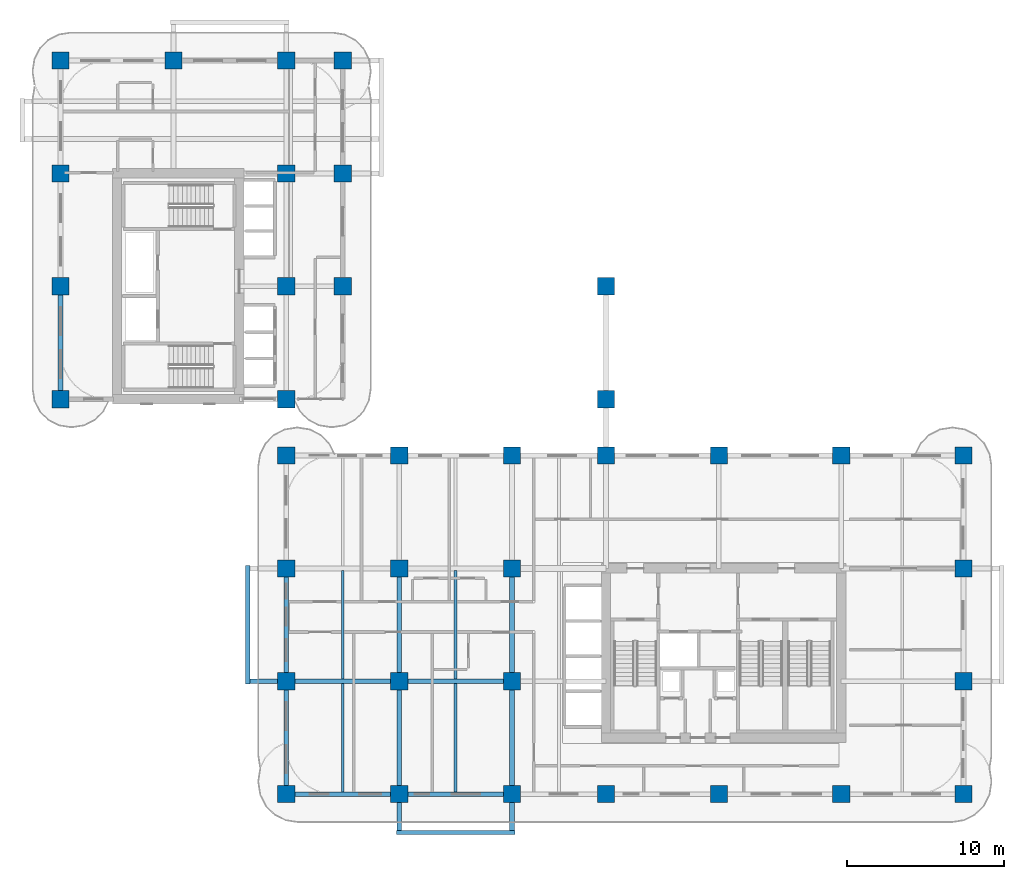
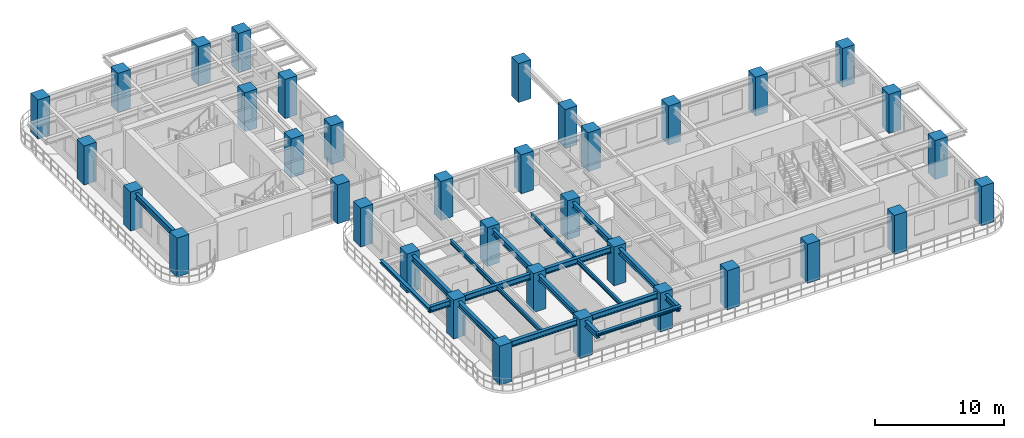
# One storey, part 1 of 18: 36 columns, 17 beams.
"""IFC4 building model written with IfcOpenShell, lengths in metres."""

from ifc_helpers import new_model, si_unit, derived_unit, direction, frame, origin, origin_2d, place, context, subcontext, project, spatial, rectangle, i_section, extrude, source, transform, mapped, material, material_profile, profile_set, type_object, type_shapes, element, save


model = new_model("IFC4")

# Units and contexts
model_context = context("Model", 3, precision=1e-05, world=origin(), true_north=direction((0.0, 1.0)))
body_context = subcontext(model_context, "Body", "Model", "MODEL_VIEW")
ifc_project = project(units=[si_unit("LENGTHUNIT", "METRE"), si_unit("AREAUNIT", "SQUARE_METRE"), si_unit("VOLUMEUNIT", "CUBIC_METRE"), si_unit("PLANEANGLEUNIT", "RADIAN"), si_unit("MASSUNIT", "GRAM", prefix="KILO"), si_unit("THERMODYNAMICTEMPERATUREUNIT", "KELVIN"), si_unit("POWERUNIT", "WATT"), derived_unit("THERMALTRANSMITTANCEUNIT", [(si_unit("POWERUNIT", "WATT"), 1), (si_unit("AREAUNIT", "SQUARE_METRE"), -1), (si_unit("THERMODYNAMICTEMPERATUREUNIT", "KELVIN"), -1)])], contexts=[model_context])

# Site, building, storey
site_placement = place(None, origin())
site = spatial("IfcSite", under=ifc_project, at=site_placement, CompositionType="ELEMENT")
building_placement = place(site_placement, origin())
building = spatial("IfcBuilding", under=site, at=building_placement, Name="Zahravan Archway Hotel and Residences", CompositionType="ELEMENT")
storey_placement = place(building_placement, frame((0.0, 0.0, 50.89990234375)))
storey = spatial("IfcBuildingStorey", under=building, at=storey_placement, Name="L11", CompositionType="ELEMENT", Elevation=50.89990234375)

# Columns
ifc_material_1 = material(Name="Concrete C70/85", Category="concrete")
ifc_material_profile_1 = material_profile(ifc_material_1, rectangle(XDim=1.10009765625, YDim=1.10009765625, at=origin_2d()), Name="RC 1100x1100", Category="concrete")
ifc_profile_set_1 = profile_set([ifc_material_profile_1], Name="Concrete C70/85")
column_type = type_object("IfcColumnType", Name="COL-RC-1100", PredefinedType="COLUMN", material=ifc_profile_set_1)
shared_shape_1 = source(origin(), body_context, "Body", "SweptSolid", [
    extrude(rectangle(XDim=1.10009765625, YDim=1.10009765625, at=origin_2d()), origin(), (0.0, 0.0, 1.0), 3.7001953125),
])
for number, where, z_axis, x_axis, name in (
    (1, (0.0, 25.199951171875, 0.0), (0.0, 0.0, 1.0), (1.0, 0.0, 0.0), "L11 Column 1-E"),
    (2, (0.0, 32.39990234375, 0.0), (0.0, 0.0, 1.0), (1.0, 0.0, 0.0), "L11 Column 1-F"),
    (3, (0.0, 39.60009765625, 0.0), (0.0, 0.0, 1.0), (1.0, 0.0, 0.0), "L11 Column 1-G"),
    (4, (0.0, 46.800048828125, 0.0), (0.0, 0.0, 1.0), (1.0, 0.0, 0.0), "L11 Column 1-H"),
    (5, (7.199951171875, 46.800048828125, 0.0), (0.0, 0.0, 1.0), (1.0, 0.0, 0.0), "L11 Column 2-H"),
    (6, (14.39990234375, 0.0, 0.0), (0.0, 0.0, 1.0), (1.0, 0.0, 0.0), "L11 Column 3-A"),
    (7, (14.39990234375, 7.199951171875, 0.0), (0.0, 0.0, 1.0), (1.0, 0.0, 0.0), "L11 Column 3-B"),
    (8, (14.39990234375, 14.39990234375, 0.0), (0.0, 0.0, 1.0), (1.0, 0.0, 0.0), "L11 Column 3-C"),
    (9, (14.39990234375, 21.60009765625, 0.0), (0.0, 0.0, 1.0), (1.0, 0.0, 0.0), "L11 Column 3-D"),
    (10, (14.39990234375, 25.199951171875, 0.0), (0.0, 0.0, 1.0), (1.0, 0.0, 0.0), "L11 Column 3-E"),
    (11, (14.39990234375, 32.39990234375, 0.0), (0.0, 0.0, 1.0), (1.0, 0.0, 0.0), "L11 Column 3-F"),
    (12, (14.39990234375, 39.60009765625, 0.0), (0.0, 0.0, 1.0), (1.0, 0.0, 0.0), "L11 Column 3-G"),
    (13, (14.39990234375, 46.800048828125, 0.0), (0.0, 0.0, 1.0), (1.0, 0.0, 0.0), "L11 Column 3-H"),
    (14, (21.60009765625, 0.0, 0.0), (0.0, 0.0, 1.0), (1.0, 0.0, 0.0), "L11 Column 4-A"),
    (15, (21.60009765625, 7.199951171875, 0.0), (0.0, 0.0, 1.0), (1.0, 0.0, 0.0), "L11 Column 4-B"),
    (16, (21.60009765625, 14.39990234375, 0.0), (0.0, 0.0, 1.0), (1.0, 0.0, 0.0), "L11 Column 4-C"),
    (17, (21.60009765625, 21.60009765625, 0.0), (0.0, 0.0, 1.0), (1.0, 0.0, 0.0), "L11 Column 4-D"),
    (18, (28.800048828125, 0.0, 0.0), (0.0, 0.0, 1.0), (1.0, 0.0, 0.0), "L11 Column 5-A"),
    (19, (28.800048828125, 7.199951171875, 0.0), (0.0, 0.0, 1.0), (1.0, 0.0, 0.0), "L11 Column 5-B"),
    (20, (28.800048828125, 14.39990234375, 0.0), (0.0, 0.0, 1.0), (1.0, 0.0, 0.0), "L11 Column 5-C"),
    (21, (28.800048828125, 21.60009765625, 0.0), (0.0, 0.0, 1.0), (1.0, 0.0, 0.0), "L11 Column 5-D"),
    (22, (34.800048828125, 0.0, 0.0), (0.0, 0.0, 1.0), (1.0, 0.0, 0.0), "L11 Column 6-A"),
    (23, (34.800048828125, 21.60009765625, 0.0), (0.0, 0.0, 1.0), (1.0, 0.0, 0.0), "L11 Column 6-D"),
    (24, (42.0, 0.0, 0.0), (0.0, 0.0, 1.0), (1.0, 0.0, 0.0), "L11 Column 7-A"),
    (25, (42.0, 21.60009765625, 0.0), (0.0, 0.0, 1.0), (1.0, 0.0, 0.0), "L11 Column 7-D"),
    (26, (49.800048828125, 0.0, 0.0), (0.0, 0.0, 1.0), (1.0, 0.0, 0.0), "L11 Column 8-A"),
    (27, (49.800048828125, 21.60009765625, 0.0), (0.0, 0.0, 1.0), (1.0, 0.0, 0.0), "L11 Column 8-D"),
    (28, (57.60009765625, 0.0, 0.0), (0.0, 0.0, 1.0), (1.0, 0.0, 0.0), "L11 Column 9-A"),
    (29, (57.60009765625, 7.199951171875, 0.0), (0.0, 0.0, 1.0), (1.0, 0.0, 0.0), "L11 Column 9-B"),
    (30, (57.60009765625, 14.39990234375, 0.0), (0.0, 0.0, 1.0), (1.0, 0.0, 0.0), "L11 Column 9-C"),
    (31, (57.60009765625, 21.60009765625, 0.0), (0.0, 0.0, 1.0), (1.0, 0.0, 0.0), "L11 Column 9-D"),
    (32, (18.0, 32.39990234375, 0.0), (0.0, 0.0, 1.0), (1.0, 0.0, 0.0), "L11 Column 3B-F"),
    (33, (18.0, 39.60009765625, 0.0), (0.0, 0.0, 1.0), (1.0, 0.0, 0.0), "L11 Column 3B-G"),
    (34, (18.0, 46.800048828125, 0.0), (0.0, 0.0, 1.0), (1.0, 0.0, 0.0), "L11 Column 3B-H"),
    (35, (34.800048828125, 25.199951171875, 0.0), (0.0, 0.0, 1.0), (1.0, 0.0, 0.0), "L11 Column 6-E"),
    (36, (34.800048828125, 32.39990234375, 0.0), (0.0, 0.0, 1.0), (1.0, 0.0, 0.0), "L11 Column 6-F"),
):
    element("IfcColumn", number, at=place(storey_placement, frame(where, z_axis=z_axis, x_axis=x_axis)), inside=storey, type_object=column_type, Name=name, PredefinedType="COLUMN", context=body_context, shape_type="MappedRepresentation", body=[
        mapped(shared_shape_1, transform((0.0, 0.0, 0.0), scale=1.0)),
    ])

# Beams
ifc_material_2 = material(Name="Structural Steel S355JR", Category="steel")
ifc_material_profile_2 = material_profile(ifc_material_2, i_section(OverallWidth=0.280029296875, OverallDepth=0.280029296875, WebThickness=0.010498046875, FlangeThickness=0.01806640625, FilletRadius=0.02392578125, at=origin_2d()), Name="HEB 280", Category="steel")
ifc_profile_set_2 = profile_set([ifc_material_profile_2], Name="Structural Steel S355JR")
beam_type_1 = type_object("IfcBeamType", Name="BM-SPN-HEB280", PredefinedType="SPANDREL", material=ifc_profile_set_2)
shared_shape_2 = source(origin(), body_context, "Body", "SweptSolid", [
    extrude(i_section(OverallWidth=0.280029296875, OverallDepth=0.280029296875, WebThickness=0.010498046875, FlangeThickness=0.01806640625, FilletRadius=0.02392578125, at=origin_2d()), origin(), (0.0, 0.0, 1.0), 7.56005859375),
])
type_shapes(beam_type_1, [shared_shape_2])
for number, where, z_axis, x_axis, name in (
    (37, (11.949951171875, 7.02001953125, 3.31005859375), (0.0, 1.0, 0.0), (-1.0, 0.0, 0.0), "L12 WA Balcony Edge Spandrel"),
    (38, (21.419921875, -2.449951171875, 3.31005859375), (1.0, 0.0, 0.0), (0.0, 1.0, 0.0), "L12 SA Balcony Edge Spandrel"),
):
    element("IfcBeam", number, at=place(storey_placement, frame(where, z_axis=z_axis, x_axis=x_axis)), inside=storey, type_object=beam_type_1, Name=name, PredefinedType="SPANDREL", context=body_context, shape_type="MappedRepresentation", body=[
        mapped(shared_shape_2, transform((0.0, 0.0, 0.0), scale=1.0)),
    ])
ifc_material_profile_3 = material_profile(ifc_material_2, i_section(OverallWidth=0.300048828125, OverallDepth=0.550048828125, WebThickness=0.014892578125, FlangeThickness=0.029052734375, FilletRadius=0.027099609375, at=origin_2d()), Name="HEB 550", Category="steel")
ifc_profile_set_3 = profile_set([ifc_material_profile_3], Name="Structural Steel S355JR")
beam_type_2 = type_object("IfcBeamType", Name="BM-PRI-HEB550", PredefinedType="BEAM", material=ifc_profile_set_3)
shared_shape_3 = source(origin(), body_context, "Body", "SweptSolid", [
    extrude(i_section(OverallWidth=0.300048828125, OverallDepth=0.550048828125, WebThickness=0.014892578125, FlangeThickness=0.029052734375, FilletRadius=0.027099609375, at=origin_2d()), origin(), (0.0, 0.0, 1.0), 7.2001953125),
])
type_shapes(beam_type_2, [shared_shape_3])
beam_1_placement = place(storey_placement, frame((14.39990234375, 0.0, 3.175048828125), z_axis=(1.0, 0.0, 0.0), x_axis=(0.0, 1.0, 0.0)))
element("IfcBeam", 39, at=beam_1_placement, inside=storey, type_object=beam_type_2, Name="L11 Primary Girder EW-01", PredefinedType="BEAM", context=body_context, shape_type="MappedRepresentation", body=[
    mapped(shared_shape_3, transform((0.0, 0.0, 0.0), scale=1.0)),
])
shared_shape_4 = source(origin(), body_context, "Body", "SweptSolid", [
    extrude(i_section(OverallWidth=0.300048828125, OverallDepth=0.550048828125, WebThickness=0.014892578125, FlangeThickness=0.029052734375, FilletRadius=0.027099609375, at=origin_2d()), origin(), (0.0, 0.0, 1.0), 7.199951171875),
])
for number, where, z_axis, x_axis, name in (
    (40, (21.60009765625, 0.0, 3.175048828125), (1.0, 0.0, 0.0), (0.0, 1.0, 0.0), "L11 Primary Girder EW-02"),
    (41, (21.60009765625, 7.199951171875, 3.175048828125), (1.0, 0.0, 0.0), (0.0, 1.0, 0.0), "L11 Primary Girder EW-08"),
    (42, (0.0, 25.199951171875, 3.175048828125), (0.0, 1.0, 0.0), (-1.0, 0.0, 0.0), "L11 Primary Girder NS-27"),
    (43, (14.39990234375, 0.0, 3.175048828125), (0.0, 1.0, 0.0), (-1.0, 0.0, 0.0), "L11 Primary Girder NS-31"),
    (44, (14.39990234375, 7.199951171875, 3.175048828125), (0.0, 1.0, 0.0), (-1.0, 0.0, 0.0), "L11 Primary Girder NS-32"),
    (45, (21.60009765625, 7.199951171875, 3.175048828125), (0.0, 1.0, 0.0), (-1.0, 0.0, 0.0), "L11 Primary Girder NS-38"),
    (46, (28.800048828125, 7.199951171875, 3.175048828125), (0.0, 1.0, 0.0), (-1.0, 0.0, 0.0), "L11 Primary Girder NS-41"),
):
    element("IfcBeam", number, at=place(storey_placement, frame(where, z_axis=z_axis, x_axis=x_axis)), inside=storey, type_object=beam_type_2, Name=name, PredefinedType="BEAM", context=body_context, shape_type="MappedRepresentation", body=[
        mapped(shared_shape_4, transform((0.0, 0.0, 0.0), scale=1.0)),
    ])
ifc_material_profile_4 = material_profile(ifc_material_2, i_section(OverallWidth=0.179931640625, OverallDepth=0.39990234375, WebThickness=0.008544921875, FlangeThickness=0.013427734375, FilletRadius=0.02099609375, at=origin_2d()), Name="IPE 400", Category="steel")
ifc_profile_set_4 = profile_set([ifc_material_profile_4], Name="Structural Steel S355JR")
beam_type_3 = type_object("IfcBeamType", Name="BM-JST-IPE400", PredefinedType="JOIST", material=ifc_profile_set_4)
shared_shape_5 = source(origin(), body_context, "Body", "SweptSolid", [
    extrude(i_section(OverallWidth=0.179931640625, OverallDepth=0.39990234375, WebThickness=0.008544921875, FlangeThickness=0.013427734375, FilletRadius=0.02099609375, at=origin_2d()), origin(), (0.0, 0.0, 1.0), 6.904052734375),
])
type_shapes(beam_type_3, [shared_shape_5])
for number, where, z_axis, x_axis, name in (
    (47, (18.0, 0.14794921875, 3.25), (0.0, 1.0, 0.0), (-1.0, 0.0, 0.0), "L11 Composite Floor Joist 01"),
    (48, (25.199951171875, 0.14794921875, 3.25), (0.0, 1.0, 0.0), (-1.0, 0.0, 0.0), "L11 Composite Floor Joist 02"),
    (49, (18.0, 7.347900390625, 3.25), (0.0, 1.0, 0.0), (-1.0, 0.0, 0.0), "L11 Composite Floor Joist 05"),
    (50, (25.199951171875, 7.347900390625, 3.25), (0.0, 1.0, 0.0), (-1.0, 0.0, 0.0), "L11 Composite Floor Joist 06"),
):
    element("IfcBeam", number, at=place(storey_placement, frame(where, z_axis=z_axis, x_axis=x_axis)), inside=storey, type_object=beam_type_3, Name=name, PredefinedType="JOIST", context=body_context, shape_type="MappedRepresentation", body=[
        mapped(shared_shape_5, transform((0.0, 0.0, 0.0), scale=1.0)),
    ])
shared_shape_6 = source(origin(), body_context, "Body", "SweptSolid", [
    extrude(i_section(OverallWidth=0.300048828125, OverallDepth=0.550048828125, WebThickness=0.014892578125, FlangeThickness=0.029052734375, FilletRadius=0.027099609375, at=origin_2d()), origin(), (0.0, 0.0, 1.0), 9.650146484375),
])
beam_2_placement = place(storey_placement, frame((11.949951171875, 7.199951171875, 3.175048828125), z_axis=(1.0, 0.0, 0.0), x_axis=(0.0, 1.0, 0.0)))
element("IfcBeam", 51, at=beam_2_placement, inside=storey, type_object=beam_type_2, Name="L11 Primary Girder EW-07", PredefinedType="BEAM", context=body_context, shape_type="MappedRepresentation", body=[
    mapped(shared_shape_6, transform((0.0, 0.0, 0.0), scale=1.0)),
])
shared_shape_7 = source(origin(), body_context, "Body", "SweptSolid", [
    extrude(i_section(OverallWidth=0.300048828125, OverallDepth=0.550048828125, WebThickness=0.014892578125, FlangeThickness=0.029052734375, FilletRadius=0.027099609375, at=origin_2d()), origin(), (0.0, 0.0, 1.0), 9.64990234375),
])
for number, where, z_axis, x_axis, name in (
    (52, (21.60009765625, -2.449951171875, 3.175048828125), (0.0, 1.0, 0.0), (-1.0, 0.0, 0.0), "L11 Primary Girder NS-37"),
    (53, (28.800048828125, -2.449951171875, 3.175048828125), (0.0, 1.0, 0.0), (-1.0, 0.0, 0.0), "L11 Primary Girder NS-40"),
):
    element("IfcBeam", number, at=place(storey_placement, frame(where, z_axis=z_axis, x_axis=x_axis)), inside=storey, type_object=beam_type_2, Name=name, PredefinedType="BEAM", context=body_context, shape_type="MappedRepresentation", body=[
        mapped(shared_shape_7, transform((0.0, 0.0, 0.0), scale=1.0)),
    ])

save(model, "model.ifc")
